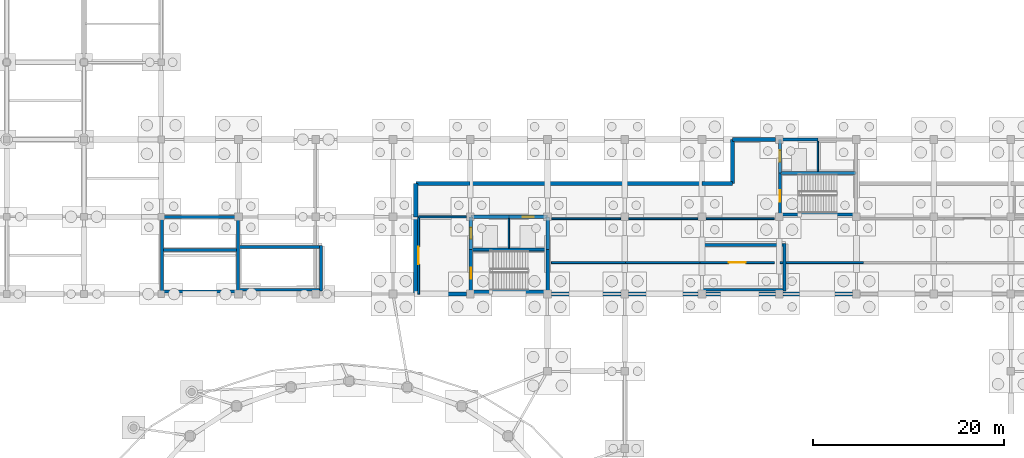
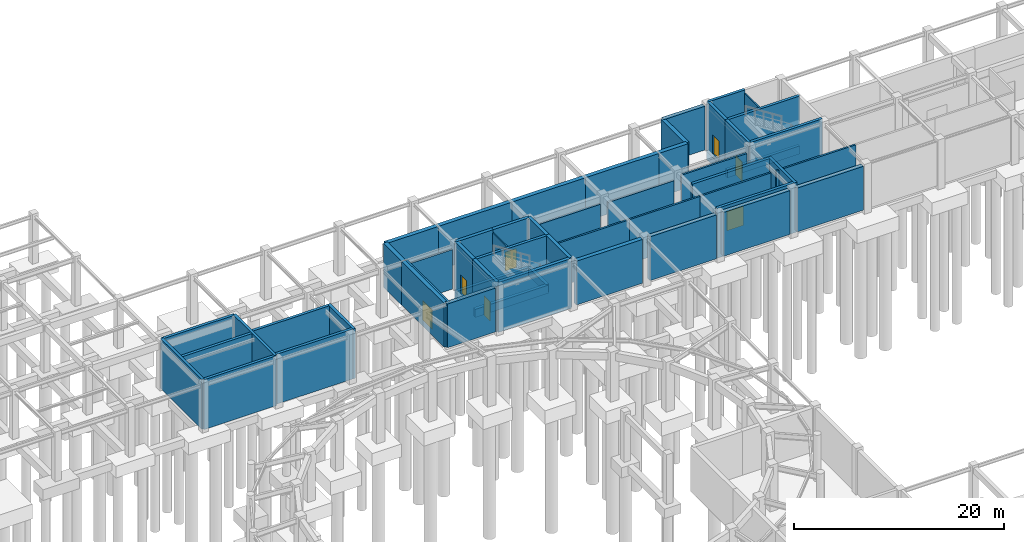
# One storey, part 18 of 26: 55 walls, 7 doors, 7 openings.
"""IFC4 building model written with IfcOpenShell, lengths in metres."""

from ifc_helpers import new_model, si_unit, direction, frame, frame_2d, origin, place, context, subcontext, project, spatial, rectangle, extrude, material, layer, layer_set, type_object, element, fill, save


model = new_model("IFC4")

# Units and contexts
model_context = context("Model", 3, precision=1e-05, world=origin(), true_north=direction((0.0, 1.0)))
body_context = subcontext(model_context, "Body", "Model", "MODEL_VIEW")
ifc_project = project(units=[si_unit("LENGTHUNIT", "METRE"), si_unit("AREAUNIT", "SQUARE_METRE"), si_unit("VOLUMEUNIT", "CUBIC_METRE"), si_unit("PLANEANGLEUNIT", "RADIAN"), si_unit("MASSUNIT", "GRAM", prefix="KILO")], contexts=[model_context])

# Site, building, storey
site_placement = place(None, origin())
site = spatial("IfcSite", under=ifc_project, at=site_placement, CompositionType="ELEMENT")
building_placement = place(site_placement, origin())
building = spatial("IfcBuilding", under=site, at=building_placement, Name="Parian Resonance Hall", CompositionType="ELEMENT")
storey_placement = place(building_placement, frame((0.0, 0.0, -5.39990234375)))
storey = spatial("IfcBuildingStorey", under=building, at=storey_placement, Name="B1", CompositionType="ELEMENT", Elevation=-5.39990234375)

# Walls
ifc_material_1 = material(Name="Concrete C40/50", Category="concrete")
ifc_layer_1 = layer(ifc_material_1, 0.31005859375)
ifc_layer_set_1 = layer_set([ifc_layer_1], Name="Concrete C40/50")
wall_type_1 = type_object("IfcWallType", Name="CW310", PredefinedType="SHEAR", material=ifc_layer_set_1)
wall_1_placement = place(storey_placement, frame((56.77001953125, 77.550048828125, -0.400146484375), z_axis=(0.0, 0.0, 1.0), x_axis=(1.0, 0.0, 0.0)))
element("IfcWall", 1, at=wall_1_placement, inside=storey, type_object=wall_type_1, Name="Core K1 stair-lift divider wall B1", PredefinedType="SHEAR", context=body_context, shape_type="SweptSolid", body=[
    extrude(rectangle(XDim=8.06005859375, YDim=0.31005859375, at=frame_2d((4.030029296875, 0.0))), origin(), (0.0, 0.0, 1.0), 5.800048828125),
])
for number, where, z_axis, x_axis, name in (
    (2, (24.389892578125, 73.14990234375, -0.400146484375), (0.0, 0.0, 1.0), (0.0, 1.0, 0.0), "Core K4 sub-grade foundation wall WS"),
    (3, (32.3701171875, 81.0, -0.400146484375), (0.0, 0.0, 1.0), (0.0, -1.0, 0.0), "Core K4 sub-grade foundation wall ES"),
):
    element("IfcWall", number, at=place(storey_placement, frame(where, z_axis=z_axis, x_axis=x_axis)), inside=storey, type_object=wall_type_1, Name=name, PredefinedType="SHEAR", context=body_context, shape_type="SweptSolid", body=[
        extrude(rectangle(XDim=7.85009765625, YDim=0.31005859375, at=frame_2d((3.925048828125, 0.0))), origin(), (0.0, 0.0, 1.0), 5.800048828125),
    ])
for number, where, z_axis, x_axis, name in (
    (4, (32.3701171875, 73.14990234375, -0.400146484375), (0.0, 0.0, 1.0), (-1.0, 0.0, 0.0), "Core K4 sub-grade foundation wall S"),
    (5, (24.389892578125, 77.510009765625, -0.400146484375), (0.0, 0.0, 1.0), (1.0, 0.0, 0.0), "Core K4 sub-grade foundation wall DIVY"),
    (6, (24.389892578125, 81.0, -0.400146484375), (0.0, 0.0, 1.0), (1.0, 0.0, 0.0), "Core K4 sub-grade foundation wall N"),
):
    element("IfcWall", number, at=place(storey_placement, frame(where, z_axis=z_axis, x_axis=x_axis)), inside=storey, type_object=wall_type_1, Name=name, PredefinedType="SHEAR", context=body_context, shape_type="SweptSolid", body=[
        extrude(rectangle(XDim=7.980224609375, YDim=0.31005859375, at=frame_2d((3.990234375, 0.0))), origin(), (0.0, 0.0, 1.0), 5.800048828125),
    ])
wall_2_placement = place(storey_placement, frame((89.18994140625, 85.610107421875, -1.35009765625), z_axis=(0.0, 0.0, 1.0), x_axis=(1.0, 0.0, 0.0)))
element("IfcWall", 7, at=wall_2_placement, inside=storey, type_object=wall_type_1, Name="Lift pit wall K5-1", PredefinedType="SHEAR", context=body_context, shape_type="SweptSolid", body=[
    extrude(rectangle(XDim=7.97998046875, YDim=0.31005859375, at=frame_2d((3.989990234375, 0.0))), origin(), (0.0, 0.0, 1.0), 0.949951171875),
])
wall_3_placement = place(storey_placement, frame((89.18994140625, 89.10009765625, -1.35009765625), z_axis=(0.0, 0.0, 1.0), x_axis=(0.0, -1.0, 0.0)))
element("IfcWall", 8, at=wall_3_placement, inside=storey, type_object=wall_type_1, Name="Lift pit wall K5-4", PredefinedType="SHEAR", context=body_context, shape_type="SweptSolid", body=[
    extrude(rectangle(XDim=3.489990234375, YDim=0.31005859375, at=frame_2d((1.7451171875, 0.0))), origin(), (0.0, 0.0, 1.0), 0.949951171875),
])

# Wall, opening, door
wall_4_placement = place(storey_placement, frame((89.18994140625, 81.25, -0.400146484375), z_axis=(0.0, 0.0, 1.0), x_axis=(0.0, 1.0, 0.0)))
wall_4 = element("IfcWall", 9, at=wall_4_placement, inside=storey, type_object=wall_type_1, Name="Core K5 stairwell west shear wall B1", PredefinedType="SHEAR", context=body_context, shape_type="SweptSolid", body=[
    extrude(rectangle(XDim=4.360107421875, YDim=0.31005859375, at=frame_2d((2.18017578125, 0.0))), origin(), (0.0, 0.0, 1.0), 5.800048828125),
])
opening_1_placement = place(wall_4_placement, frame((1.35009765625, 0.0, 0.39990234375)))
opening_1 = element("IfcOpeningElement", 10, at=opening_1_placement, cuts=wall_4, Name="Opening FD-01", PredefinedType="OPENING", context=body_context, shape_type="SweptSolid", body=[
    extrude(rectangle(XDim=1.199951171875, YDim=2.25, at=frame_2d((0.60009765625, 1.125))), frame((0.0, 0.1650390625, 0.0), z_axis=(0.0, -1.0, 0.0), x_axis=(1.0, 0.0, 0.0)), (0.0, 0.0, 1.0), 0.330078125),
])
ifc_material_2 = material(Name="Fire-rated acoustic steel and narra timber door", Category="steel")
door_type_1 = type_object("IfcDoorType", Name="FD-01", OperationType="NOTDEFINED", PredefinedType="DOOR", material=ifc_material_2)
door_1_placement = place(opening_1_placement, origin())
door_1 = element("IfcDoor", 11, at=door_1_placement, inside=storey, type_object=door_type_1, Name="Exit stair ST-05 fire door B1", OperationType="SINGLE_SWING_LEFT", OverallHeight=2.25, OverallWidth=1.199951171875, PredefinedType="DOOR", context=body_context, shape_type="SweptSolid", body=[
    extrude(rectangle(XDim=1.199951171875, YDim=2.25, at=frame_2d((0.60009765625, 1.125))), frame((0.0, 0.02490234375, 0.0), z_axis=(0.0, -1.0, 0.0), x_axis=(1.0, 0.0, 0.0)), (0.0, 0.0, 1.0), 0.050048828125),
])
fill(opening_1, door_1)

wall_5_placement = place(storey_placement, frame((89.18994140625, 85.610107421875, -0.400146484375), z_axis=(0.0, 0.0, 1.0), x_axis=(0.0, 1.0, 0.0)))
wall_5 = element("IfcWall", 12, at=wall_5_placement, inside=storey, type_object=wall_type_1, Name="Core K5 lift shaft west shear wall B1", PredefinedType="SHEAR", context=body_context, shape_type="SweptSolid", body=[
    extrude(rectangle(XDim=3.489990234375, YDim=0.31005859375, at=frame_2d((1.7451171875, 0.0))), origin(), (0.0, 0.0, 1.0), 5.800048828125),
])
opening_2_placement = place(wall_5_placement, frame((1.14501953125, 0.0, 0.39990234375)))
opening_2 = element("IfcOpeningElement", 13, at=opening_2_placement, cuts=wall_5, Name="Opening LD-01", PredefinedType="OPENING", context=body_context, shape_type="SweptSolid", body=[
    extrude(rectangle(XDim=1.199951171875, YDim=2.199951171875, at=frame_2d((0.60009765625, 1.10009765625))), frame((0.0, 0.1650390625, 0.0), z_axis=(0.0, -1.0, 0.0), x_axis=(1.0, 0.0, 0.0)), (0.0, 0.0, 1.0), 0.330078125),
])
ifc_material_3 = material(Name="Stainless steel and bronze elevator cab", Category="steel")
door_type_2 = type_object("IfcDoorType", Name="DOOR-LIFT-1200x2200", OperationType="SLIDING_TO_LEFT", PredefinedType="DOOR", material=ifc_material_3)
door_2_placement = place(opening_2_placement, origin())
door_2 = element("IfcDoor", 14, at=door_2_placement, inside=storey, type_object=door_type_2, Name="Lift LF-06 sliding landing door B1", OperationType="SLIDING_TO_LEFT", OverallHeight=2.199951171875, OverallWidth=1.199951171875, PredefinedType="DOOR", context=body_context, shape_type="SweptSolid", body=[
    extrude(rectangle(XDim=1.199951171875, YDim=2.199951171875, at=frame_2d((0.60009765625, 1.10009765625))), frame((0.0, 0.02490234375, 0.0), z_axis=(0.0, -1.0, 0.0), x_axis=(1.0, 0.0, 0.0)), (0.0, 0.0, 1.0), 0.050048828125),
])
fill(opening_2, door_2)

# Walls
wall_6_placement = place(storey_placement, frame((89.18994140625, 89.10009765625, -0.400146484375), z_axis=(0.0, 0.0, 1.0), x_axis=(1.0, 0.0, 0.0)))
element("IfcWall", 15, at=wall_6_placement, inside=storey, type_object=wall_type_1, Name="Core K5 north-west shaft wall B1", PredefinedType="SHEAR", context=body_context, shape_type="SweptSolid", body=[
    extrude(rectangle(XDim=3.9599609375, YDim=0.31005859375, at=frame_2d((1.97998046875, 0.0))), origin(), (0.0, 0.0, 1.0), 5.800048828125),
])
for number, where, z_axis, x_axis, name in (
    (16, (97.169921875, 81.25, -0.400146484375), (0.0, 0.0, 1.0), (-1.0, 0.0, 0.0), "Core K5 stairwell south wall B1"),
    (17, (89.18994140625, 85.610107421875, -0.400146484375), (0.0, 0.0, 1.0), (1.0, 0.0, 0.0), "Core K5 stair-lift divider wall B1"),
):
    element("IfcWall", number, at=place(storey_placement, frame(where, z_axis=z_axis, x_axis=x_axis)), inside=storey, type_object=wall_type_1, Name=name, PredefinedType="SHEAR", context=body_context, shape_type="SweptSolid", body=[
        extrude(rectangle(XDim=7.97998046875, YDim=0.31005859375, at=frame_2d((3.989990234375, 0.0))), origin(), (0.0, 0.0, 1.0), 5.800048828125),
    ])
wall_7_placement = place(storey_placement, frame((32.39990234375, 73.35009765625, -0.400146484375), z_axis=(0.0, 0.0, 1.0), x_axis=(1.0, 0.0, 0.0)))
element("IfcWall", 18, at=wall_7_placement, inside=storey, type_object=wall_type_1, Name="Enclosed foyer exit stair ST-07 shear wall B1-S", PredefinedType="SHEAR", context=body_context, shape_type="SweptSolid", body=[
    extrude(rectangle(XDim=8.795166015625, YDim=0.31005859375, at=frame_2d((4.3974609375, 0.0))), origin(), (0.0, 0.0, 1.0), 5.800048828125),
])
wall_8_placement = place(storey_placement, frame((41.0400390625, 73.195068359375, -0.400146484375), z_axis=(0.0, 0.0, 1.0), x_axis=(0.0, 1.0, 0.0)))
element("IfcWall", 19, at=wall_8_placement, inside=storey, type_object=wall_type_1, Name="Enclosed foyer exit stair ST-07 shear wall B1-E", PredefinedType="SHEAR", context=body_context, shape_type="SweptSolid", body=[
    extrude(rectangle(XDim=4.7900390625, YDim=0.31005859375, at=frame_2d((2.39501953125, 0.0))), origin(), (0.0, 0.0, 1.0), 5.800048828125),
])
wall_9_placement = place(storey_placement, frame((41.195068359375, 77.830078125, -0.400146484375), z_axis=(0.0, 0.0, 1.0), x_axis=(-1.0, 0.0, 0.0)))
element("IfcWall", 20, at=wall_9_placement, inside=storey, type_object=wall_type_1, Name="Enclosed foyer exit stair ST-07 shear wall B1-N", PredefinedType="SHEAR", context=body_context, shape_type="SweptSolid", body=[
    extrude(rectangle(XDim=8.795166015625, YDim=0.31005859375, at=frame_2d((4.3974609375, 0.0))), origin(), (0.0, 0.0, 1.0), 5.800048828125),
])
wall_10_placement = place(storey_placement, frame((81.0, 73.35009765625, -0.400146484375), z_axis=(0.0, 0.0, 1.0), x_axis=(1.0, 0.0, 0.0)))
element("IfcWall", 21, at=wall_10_placement, inside=storey, type_object=wall_type_1, Name="Enclosed foyer exit stair ST-08 shear wall B1-S", PredefinedType="SHEAR", context=body_context, shape_type="SweptSolid", body=[
    extrude(rectangle(XDim=8.794921875, YDim=0.31005859375, at=frame_2d((4.3974609375, 0.0))), origin(), (0.0, 0.0, 1.0), 5.800048828125),
])
wall_11_placement = place(storey_placement, frame((89.639892578125, 73.195068359375, -0.400146484375), z_axis=(0.0, 0.0, 1.0), x_axis=(0.0, 1.0, 0.0)))
element("IfcWall", 22, at=wall_11_placement, inside=storey, type_object=wall_type_1, Name="Enclosed foyer exit stair ST-08 shear wall B1-E", PredefinedType="SHEAR", context=body_context, shape_type="SweptSolid", body=[
    extrude(rectangle(XDim=4.989990234375, YDim=0.31005859375, at=frame_2d((2.4951171875, 0.0))), origin(), (0.0, 0.0, 1.0), 5.800048828125),
])
wall_12_placement = place(storey_placement, frame((89.794921875, 78.030029296875, -0.400146484375), z_axis=(0.0, 0.0, 1.0), x_axis=(-1.0, 0.0, 0.0)))
element("IfcWall", 23, at=wall_12_placement, inside=storey, type_object=wall_type_1, Name="Enclosed foyer exit stair ST-08 shear wall B1-N", PredefinedType="SHEAR", context=body_context, shape_type="SweptSolid", body=[
    extrude(rectangle(XDim=8.794921875, YDim=0.31005859375, at=frame_2d((4.3974609375, 0.0))), origin(), (0.0, 0.0, 1.0), 5.800048828125),
])
ifc_material_4 = material(Name="Concrete C40/50", Category="concrete")
ifc_layer_2 = layer(ifc_material_4, 0.35009765625)
ifc_layer_set_2 = layer_set([ifc_layer_2], Name="Concrete C40/50")
wall_type_2 = type_object("IfcWallType", Name="CW350", PredefinedType="SHEAR", material=ifc_layer_set_2)
wall_13_placement = place(storey_placement, frame((56.77001953125, 77.550048828125, -1.35009765625), z_axis=(0.0, 0.0, 1.0), x_axis=(1.0, 0.0, 0.0)))
element("IfcWall", 24, at=wall_13_placement, inside=storey, type_object=wall_type_2, Name="Lift pit wall K1-1", PredefinedType="SHEAR", context=body_context, shape_type="SweptSolid", body=[
    extrude(rectangle(XDim=8.06005859375, YDim=0.35009765625, at=frame_2d((4.030029296875, 0.0))), origin(), (0.0, 0.0, 1.0), 0.949951171875),
])
wall_14_placement = place(storey_placement, frame((64.830078125, 77.550048828125, -1.35009765625), z_axis=(0.0, 0.0, 1.0), x_axis=(0.0, 1.0, 0.0)))
element("IfcWall", 25, at=wall_14_placement, inside=storey, type_object=wall_type_2, Name="Lift pit wall K1-2", PredefinedType="SHEAR", context=body_context, shape_type="SweptSolid", body=[
    extrude(rectangle(XDim=3.449951171875, YDim=0.35009765625, at=frame_2d((1.72509765625, 0.0))), origin(), (0.0, 0.0, 1.0), 0.949951171875),
])
wall_15_placement = place(storey_placement, frame((64.830078125, 81.0, -1.35009765625), z_axis=(0.0, 0.0, 1.0), x_axis=(-1.0, 0.0, 0.0)))
element("IfcWall", 26, at=wall_15_placement, inside=storey, type_object=wall_type_2, Name="Lift pit wall K1-3", PredefinedType="SHEAR", context=body_context, shape_type="SweptSolid", body=[
    extrude(rectangle(XDim=8.06005859375, YDim=0.35009765625, at=frame_2d((4.030029296875, 0.0))), origin(), (0.0, 0.0, 1.0), 0.949951171875),
])
wall_16_placement = place(storey_placement, frame((56.77001953125, 81.0, -1.35009765625), z_axis=(0.0, 0.0, 1.0), x_axis=(0.0, -1.0, 0.0)))
element("IfcWall", 27, at=wall_16_placement, inside=storey, type_object=wall_type_2, Name="Lift pit wall K1-4", PredefinedType="SHEAR", context=body_context, shape_type="SweptSolid", body=[
    extrude(rectangle(XDim=3.449951171875, YDim=0.35009765625, at=frame_2d((1.72509765625, 0.0))), origin(), (0.0, 0.0, 1.0), 0.949951171875),
])

# Wall, opening, door
wall_17_placement = place(storey_placement, frame((56.77001953125, 73.1298828125, -0.400146484375), z_axis=(0.0, 0.0, 1.0), x_axis=(0.0, 1.0, 0.0)))
wall_17 = element("IfcWall", 28, at=wall_17_placement, inside=storey, type_object=wall_type_2, Name="Core K1 stairwell west shear wall B1", PredefinedType="SHEAR", context=body_context, shape_type="SweptSolid", body=[
    extrude(rectangle(XDim=4.420166015625, YDim=0.35009765625, at=frame_2d((2.2099609375, 0.0))), origin(), (0.0, 0.0, 1.0), 5.800048828125),
])
opening_3_placement = place(wall_17_placement, frame((1.35009765625, 0.0, 0.39990234375)))
opening_3 = element("IfcOpeningElement", 29, at=opening_3_placement, cuts=wall_17, Name="Opening FD-01", PredefinedType="OPENING", context=body_context, shape_type="SweptSolid", body=[
    extrude(rectangle(XDim=1.199951171875, YDim=2.25, at=frame_2d((0.60009765625, 1.125))), frame((0.0, 0.18505859375, 0.0), z_axis=(0.0, -1.0, 0.0), x_axis=(1.0, 0.0, 0.0)), (0.0, 0.0, 1.0), 0.3701171875),
])
door_3_placement = place(opening_3_placement, origin())
door_3 = element("IfcDoor", 30, at=door_3_placement, inside=storey, type_object=door_type_1, Name="Exit stair ST-01 fire door B1", OperationType="SINGLE_SWING_LEFT", OverallHeight=2.25, OverallWidth=1.199951171875, PredefinedType="DOOR", context=body_context, shape_type="SweptSolid", body=[
    extrude(rectangle(XDim=1.199951171875, YDim=2.25, at=frame_2d((0.60009765625, 1.125))), frame((0.0, 0.02490234375, 0.0), z_axis=(0.0, -1.0, 0.0), x_axis=(1.0, 0.0, 0.0)), (0.0, 0.0, 1.0), 0.050048828125),
])
fill(opening_3, door_3)

wall_18_placement = place(storey_placement, frame((56.77001953125, 77.550048828125, -0.400146484375), z_axis=(0.0, 0.0, 1.0), x_axis=(0.0, 1.0, 0.0)))
wall_18 = element("IfcWall", 31, at=wall_18_placement, inside=storey, type_object=wall_type_2, Name="Core K1 lift shaft west shear wall B1", PredefinedType="SHEAR", context=body_context, shape_type="SweptSolid", body=[
    extrude(rectangle(XDim=3.449951171875, YDim=0.35009765625, at=frame_2d((1.72509765625, 0.0))), origin(), (0.0, 0.0, 1.0), 5.800048828125),
])
opening_4_placement = place(wall_18_placement, frame((1.125, 0.0, 0.39990234375)))
opening_4 = element("IfcOpeningElement", 32, at=opening_4_placement, cuts=wall_18, Name="Opening LD-01", PredefinedType="OPENING", context=body_context, shape_type="SweptSolid", body=[
    extrude(rectangle(XDim=1.199951171875, YDim=2.199951171875, at=frame_2d((0.60009765625, 1.10009765625))), frame((0.0, 0.18505859375, 0.0), z_axis=(0.0, -1.0, 0.0), x_axis=(1.0, 0.0, 0.0)), (0.0, 0.0, 1.0), 0.3701171875),
])
door_4_placement = place(opening_4_placement, origin())
door_4 = element("IfcDoor", 33, at=door_4_placement, inside=storey, type_object=door_type_2, Name="Lift LF-01 sliding landing door B1", OperationType="SLIDING_TO_LEFT", OverallHeight=2.199951171875, OverallWidth=1.199951171875, PredefinedType="DOOR", context=body_context, shape_type="SweptSolid", body=[
    extrude(rectangle(XDim=1.199951171875, YDim=2.199951171875, at=frame_2d((0.60009765625, 1.10009765625))), frame((0.0, 0.02490234375, 0.0), z_axis=(0.0, -1.0, 0.0), x_axis=(1.0, 0.0, 0.0)), (0.0, 0.0, 1.0), 0.050048828125),
])
fill(opening_4, door_4)

# Wall
wall_19_placement = place(storey_placement, frame((56.77001953125, 81.0, -0.400146484375), z_axis=(0.0, 0.0, 1.0), x_axis=(1.0, 0.0, 0.0)))
element("IfcWall", 34, at=wall_19_placement, inside=storey, type_object=wall_type_2, Name="Core K1 north-west shaft wall B1", PredefinedType="SHEAR", context=body_context, shape_type="SweptSolid", body=[
    extrude(rectangle(XDim=3.97998046875, YDim=0.35009765625, at=frame_2d((1.989990234375, 0.0))), origin(), (0.0, 0.0, 1.0), 5.800048828125),
])

# Wall, opening, door
wall_20_placement = place(storey_placement, frame((60.75, 81.0, -0.400146484375), z_axis=(0.0, 0.0, 1.0), x_axis=(1.0, 0.0, 0.0)))
wall_20 = element("IfcWall", 35, at=wall_20_placement, inside=storey, type_object=wall_type_2, Name="Core K1 north-east shaft wall B1", PredefinedType="SHEAR", context=body_context, shape_type="SweptSolid", body=[
    extrude(rectangle(XDim=4.080078125, YDim=0.35009765625, at=frame_2d((2.0400390625, 0.0))), origin(), (0.0, 0.0, 1.0), 5.800048828125),
])
opening_5_placement = place(wall_20_placement, frame((1.43994140625, 0.0, 0.39990234375)))
opening_5 = element("IfcOpeningElement", 36, at=opening_5_placement, cuts=wall_20, Name="Opening LD-01", PredefinedType="OPENING", context=body_context, shape_type="SweptSolid", body=[
    extrude(rectangle(XDim=1.199951171875, YDim=2.199951171875, at=frame_2d((0.60009765625, 1.10009765625))), frame((0.0, 0.18505859375, 0.0), z_axis=(0.0, -1.0, 0.0), x_axis=(1.0, 0.0, 0.0)), (0.0, 0.0, 1.0), 0.3701171875),
])
door_5_placement = place(opening_5_placement, origin())
door_5 = element("IfcDoor", 37, at=door_5_placement, inside=storey, type_object=door_type_2, Name="Lift LF-03 sliding landing door B1", OperationType="SLIDING_TO_LEFT", OverallHeight=2.199951171875, OverallWidth=1.199951171875, PredefinedType="DOOR", context=body_context, shape_type="SweptSolid", body=[
    extrude(rectangle(XDim=1.199951171875, YDim=2.199951171875, at=frame_2d((0.60009765625, 1.10009765625))), frame((0.0, 0.02490234375, 0.0), z_axis=(0.0, -1.0, 0.0), x_axis=(1.0, 0.0, 0.0)), (0.0, 0.0, 1.0), 0.050048828125),
])
fill(opening_5, door_5)

# Walls
wall_21_placement = place(storey_placement, frame((64.830078125, 81.0, -0.400146484375), z_axis=(0.0, 0.0, 1.0), x_axis=(0.0, -1.0, 0.0)))
element("IfcWall", 38, at=wall_21_placement, inside=storey, type_object=wall_type_2, Name="Core K1 east shaft wall B1", PredefinedType="SHEAR", context=body_context, shape_type="SweptSolid", body=[
    extrude(rectangle(XDim=3.449951171875, YDim=0.35009765625, at=frame_2d((1.72509765625, 0.0))), origin(), (0.0, 0.0, 1.0), 5.800048828125),
])
wall_22_placement = place(storey_placement, frame((64.830078125, 77.550048828125, -0.400146484375), z_axis=(0.0, 0.0, 1.0), x_axis=(0.0, -1.0, 0.0)))
element("IfcWall", 39, at=wall_22_placement, inside=storey, type_object=wall_type_2, Name="Core K1 stairwell east wall B1", PredefinedType="SHEAR", context=body_context, shape_type="SweptSolid", body=[
    extrude(rectangle(XDim=4.420166015625, YDim=0.35009765625, at=frame_2d((2.2099609375, 0.0))), origin(), (0.0, 0.0, 1.0), 5.800048828125),
])
wall_23_placement = place(storey_placement, frame((64.830078125, 73.1298828125, -0.400146484375), z_axis=(0.0, 0.0, 1.0), x_axis=(-1.0, 0.0, 0.0)))
element("IfcWall", 40, at=wall_23_placement, inside=storey, type_object=wall_type_2, Name="Core K1 stairwell south wall B1", PredefinedType="SHEAR", context=body_context, shape_type="SweptSolid", body=[
    extrude(rectangle(XDim=8.06005859375, YDim=0.35009765625, at=frame_2d((4.030029296875, 0.0))), origin(), (0.0, 0.0, 1.0), 5.800048828125),
])
ifc_material_5 = material(Name="Concrete C35/45 waterproofed retaining wall", Category="concrete")
ifc_layer_3 = layer(ifc_material_5, 0.449951171875)
ifc_layer_set_3 = layer_set([ifc_layer_3], Name="Concrete C35/45 waterproofed retaining wall")
wall_type_3 = type_object("IfcWallType", Name="EW-RET-450", PredefinedType="USERDEFINED", material=ifc_layer_set_3)
wall_24_placement = place(storey_placement, frame((88.699951171875, 89.10009765625, 0.0), z_axis=(0.0, 0.0, 1.0), x_axis=(-1.0, 0.0, 0.0)))
element("IfcWall", 41, at=wall_24_placement, inside=storey, type_object=wall_type_3, Name="Perimeter closure wall B1", ObjectType="RETAINING WALL", PredefinedType="USERDEFINED", context=body_context, shape_type="SweptSolid", body=[
    extrude(rectangle(XDim=4.5, YDim=0.449951171875, at=frame_2d((2.25, 0.0))), origin(), (0.0, 0.0, 1.0), 5.099853515625),
])
wall_25_placement = place(storey_placement, frame((84.199951171875, 89.10009765625, 0.0), z_axis=(0.0, 0.0, 1.0), x_axis=(0.0, -1.0, 0.0)))
element("IfcWall", 42, at=wall_25_placement, inside=storey, type_object=wall_type_3, Name="Perimeter closure wall B1", ObjectType="RETAINING WALL", PredefinedType="USERDEFINED", context=body_context, shape_type="SweptSolid", body=[
    extrude(rectangle(XDim=4.60009765625, YDim=0.449951171875, at=frame_2d((2.300048828125, 0.0))), origin(), (0.0, 0.0, 1.0), 5.099853515625),
])
wall_26_placement = place(storey_placement, frame((84.199951171875, 84.5, 0.0), z_axis=(0.0, 0.0, 1.0), x_axis=(-1.0, 0.0, 0.0)))
element("IfcWall", 43, at=wall_26_placement, inside=storey, type_object=wall_type_3, Name="Perimeter closure wall B1", ObjectType="RETAINING WALL", PredefinedType="USERDEFINED", context=body_context, shape_type="SweptSolid", body=[
    extrude(rectangle(XDim=3.199951171875, YDim=0.449951171875, at=frame_2d((1.60009765625, 0.0))), origin(), (0.0, 0.0, 1.0), 5.099853515625),
])
wall_27_placement = place(storey_placement, frame((81.0, 84.5, 0.0), z_axis=(0.0, 0.0, 1.0), x_axis=(-1.0, 0.0, 0.0)))
element("IfcWall", 44, at=wall_27_placement, inside=storey, type_object=wall_type_3, Name="Perimeter closure wall B1", ObjectType="RETAINING WALL", PredefinedType="USERDEFINED", context=body_context, shape_type="SweptSolid", body=[
    extrude(rectangle(XDim=8.10009765625, YDim=0.449951171875, at=frame_2d((4.050048828125, 0.0))), origin(), (0.0, 0.0, 1.0), 5.099853515625),
])
wall_28_placement = place(storey_placement, frame((72.89990234375, 84.5, 0.0), z_axis=(0.0, 0.0, 1.0), x_axis=(-1.0, 0.0, 0.0)))
element("IfcWall", 45, at=wall_28_placement, inside=storey, type_object=wall_type_3, Name="Perimeter closure wall B1", ObjectType="RETAINING WALL", PredefinedType="USERDEFINED", context=body_context, shape_type="SweptSolid", body=[
    extrude(rectangle(XDim=8.099853515625, YDim=0.449951171875, at=frame_2d((4.0498046875, 0.0))), origin(), (0.0, 0.0, 1.0), 5.099853515625),
])
wall_29_placement = place(storey_placement, frame((64.800048828125, 84.5, 0.0), z_axis=(0.0, 0.0, 1.0), x_axis=(-1.0, 0.0, 0.0)))
element("IfcWall", 46, at=wall_29_placement, inside=storey, type_object=wall_type_3, Name="Perimeter closure wall B1", ObjectType="RETAINING WALL", PredefinedType="USERDEFINED", context=body_context, shape_type="SweptSolid", body=[
    extrude(rectangle(XDim=8.10009765625, YDim=0.449951171875, at=frame_2d((4.050048828125, 0.0))), origin(), (0.0, 0.0, 1.0), 5.099853515625),
])
wall_30_placement = place(storey_placement, frame((56.699951171875, 84.5, 0.0), z_axis=(0.0, 0.0, 1.0), x_axis=(-1.0, 0.0, 0.0)))
element("IfcWall", 47, at=wall_30_placement, inside=storey, type_object=wall_type_3, Name="Perimeter closure wall B1", ObjectType="RETAINING WALL", PredefinedType="USERDEFINED", context=body_context, shape_type="SweptSolid", body=[
    extrude(rectangle(XDim=5.699951171875, YDim=0.449951171875, at=frame_2d((2.85009765625, 0.0))), origin(), (0.0, 0.0, 1.0), 5.099853515625),
])
wall_31_placement = place(storey_placement, frame((51.0, 84.5, 0.0), z_axis=(0.0, 0.0, 1.0), x_axis=(0.0, -1.0, 0.0)))
element("IfcWall", 48, at=wall_31_placement, inside=storey, type_object=wall_type_3, Name="Perimeter closure wall B1", ObjectType="RETAINING WALL", PredefinedType="USERDEFINED", context=body_context, shape_type="SweptSolid", body=[
    extrude(rectangle(XDim=3.5, YDim=0.449951171875, at=frame_2d((1.75, 0.0))), origin(), (0.0, 0.0, 1.0), 5.099853515625),
])
wall_32_placement = place(storey_placement, frame((51.0, 81.0, 0.0), z_axis=(0.0, 0.0, 1.0), x_axis=(0.0, -1.0, 0.0)))
element("IfcWall", 49, at=wall_32_placement, inside=storey, type_object=wall_type_3, Name="Perimeter closure wall B1", ObjectType="RETAINING WALL", PredefinedType="USERDEFINED", context=body_context, shape_type="SweptSolid", body=[
    extrude(rectangle(XDim=8.10009765625, YDim=0.449951171875, at=frame_2d((4.050048828125, 0.0))), origin(), (0.0, 0.0, 1.0), 5.099853515625),
])
wall_33_placement = place(storey_placement, frame((51.0, 72.89990234375, 0.0), z_axis=(0.0, 0.0, 1.0), x_axis=(1.0, 0.0, 0.0)))
element("IfcWall", 50, at=wall_33_placement, inside=storey, type_object=wall_type_3, Name="Perimeter closure wall B1", ObjectType="RETAINING WALL", PredefinedType="USERDEFINED", context=body_context, shape_type="SweptSolid", body=[
    extrude(rectangle(XDim=5.300048828125, YDim=0.449951171875, at=frame_2d((2.64990234375, 0.0))), origin(), (0.0, 0.0, 1.0), 5.099853515625),
])
for number, where, z_axis, x_axis, name in (
    (51, (65.199951171875, 72.89990234375, 0.0), (0.0, 0.0, 1.0), (1.0, 0.0, 0.0), "Perimeter closure wall B1"),
    (52, (73.300048828125, 72.89990234375, 0.0), (0.0, 0.0, 1.0), (1.0, 0.0, 0.0), "Perimeter closure wall B1"),
    (53, (81.39990234375, 72.89990234375, 0.0), (0.0, 0.0, 1.0), (1.0, 0.0, 0.0), "Perimeter closure wall B1"),
    (54, (89.5, 72.89990234375, 0.0), (0.0, 0.0, 1.0), (1.0, 0.0, 0.0), "Perimeter closure wall B1"),
):
    element("IfcWall", number, at=place(storey_placement, frame(where, z_axis=z_axis, x_axis=x_axis)), inside=storey, type_object=wall_type_3, Name=name, ObjectType="RETAINING WALL", PredefinedType="USERDEFINED", context=body_context, shape_type="SweptSolid", body=[
        extrude(rectangle(XDim=7.300048828125, YDim=0.449951171875, at=frame_2d((3.64990234375, 0.0))), origin(), (0.0, 0.0, 1.0), 5.099853515625),
    ])

# Wall, opening, door
ifc_material_6 = material(Name="Concrete C35/45 fire barrier", Category="concrete")
ifc_layer_4 = layer(ifc_material_6, 0.199951171875)
ifc_layer_set_4 = layer_set([ifc_layer_4], Name="Concrete C35/45 fire barrier")
wall_type_4 = type_object("IfcWallType", Name="FW200", PredefinedType="PARTITIONING", material=ifc_layer_set_4)
wall_34_placement = place(storey_placement, frame((51.300048828125, 72.89990234375, 0.0), z_axis=(0.0, 0.0, 1.0), x_axis=(0.0, 1.0, 0.0)))
wall_34 = element("IfcWall", 55, at=wall_34_placement, inside=storey, type_object=wall_type_4, Name="Firefighting lift lobby K1 west fire barrier B1", PredefinedType="PARTITIONING", context=body_context, shape_type="SweptSolid", body=[
    extrude(rectangle(XDim=8.10009765625, YDim=0.199951171875, at=frame_2d((4.050048828125, 0.0))), origin(), (0.0, 0.0, 1.0), 5.099853515625),
])
opening_6_placement = place(wall_34_placement, frame((3.14990234375, 0.0, 0.0)))
opening_6 = element("IfcOpeningElement", 56, at=opening_6_placement, cuts=wall_34, Name="Opening FD-02", PredefinedType="OPENING", context=body_context, shape_type="SweptSolid", body=[
    extrude(rectangle(XDim=1.800048828125, YDim=2.25, at=frame_2d((0.89990234375, 1.125))), frame((0.0, 0.10986328125, 0.0), z_axis=(0.0, -1.0, 0.0), x_axis=(1.0, 0.0, 0.0)), (0.0, 0.0, 1.0), 0.219970703125),
])
ifc_material_7 = material(Name="Fire-rated acoustic steel and narra timber door", Category="steel")
door_type_3 = type_object("IfcDoorType", Name="FD-02", OperationType="NOTDEFINED", PredefinedType="DOOR", material=ifc_material_7)
door_6_placement = place(opening_6_placement, origin())
door_6 = element("IfcDoor", 57, at=door_6_placement, inside=storey, type_object=door_type_3, Name="Firefighting lift lobby K1 smoke-seal fire door B1", OperationType="DOUBLE_DOOR_SINGLE_SWING", OverallHeight=2.25, OverallWidth=1.800048828125, PredefinedType="DOOR", context=body_context, shape_type="SweptSolid", body=[
    extrude(rectangle(XDim=1.800048828125, YDim=2.25, at=frame_2d((0.89990234375, 1.125))), frame((0.0, 0.02490234375, 0.0), z_axis=(0.0, -1.0, 0.0), x_axis=(1.0, 0.0, 0.0)), (0.0, 0.0, 1.0), 0.050048828125),
])
fill(opening_6, door_6)

# Wall
wall_35_placement = place(storey_placement, frame((51.300048828125, 81.0, 0.0), z_axis=(0.0, 0.0, 1.0), x_axis=(1.0, 0.0, 0.0)))
element("IfcWall", 58, at=wall_35_placement, inside=storey, type_object=wall_type_4, Name="Firefighting lift lobby K1 N fire barrier B1", PredefinedType="PARTITIONING", context=body_context, shape_type="SweptSolid", body=[
    extrude(rectangle(XDim=5.0, YDim=0.199951171875, at=frame_2d((2.5, 0.0))), origin(), (0.0, 0.0, 1.0), 4.5908203125),
])

# Wall, opening, door
wall_36_placement = place(storey_placement, frame((88.60009765625, 76.199951171875, 0.0), z_axis=(0.0, 0.0, 1.0), x_axis=(-1.0, 0.0, 0.0)))
wall_36 = element("IfcWall", 59, at=wall_36_placement, inside=storey, type_object=wall_type_4, Name="Interior acoustic partition IW-B1-0002", PredefinedType="PARTITIONING", context=body_context, shape_type="SweptSolid", body=[
    extrude(rectangle(XDim=7.800048828125, YDim=0.199951171875, at=frame_2d((3.89990234375, 0.0))), origin(), (0.0, 0.0, 1.0), 5.119873046875),
])
opening_7_placement = place(wall_36_placement, frame((3.0, 0.0, 0.0)))
opening_7 = element("IfcOpeningElement", 60, at=opening_7_placement, cuts=wall_36, Name="Opening FD-02", PredefinedType="OPENING", context=body_context, shape_type="SweptSolid", body=[
    extrude(rectangle(XDim=1.800048828125, YDim=2.25, at=frame_2d((0.89990234375, 1.125))), frame((0.0, 0.10986328125, 0.0), z_axis=(0.0, -1.0, 0.0), x_axis=(1.0, 0.0, 0.0)), (0.0, 0.0, 1.0), 0.219970703125),
])
door_7_placement = place(opening_7_placement, origin())
door_7 = element("IfcDoor", 61, at=door_7_placement, inside=storey, type_object=door_type_3, Name="Sub-Floor Displacement Acoustic Plenum door", OperationType="DOUBLE_DOOR_SINGLE_SWING", OverallHeight=2.25, OverallWidth=1.800048828125, PredefinedType="DOOR", context=body_context, shape_type="SweptSolid", body=[
    extrude(rectangle(XDim=1.800048828125, YDim=2.25, at=frame_2d((0.89990234375, 1.125))), frame((0.0, 0.02490234375, 0.0), z_axis=(0.0, -1.0, 0.0), x_axis=(1.0, 0.0, 0.0)), (0.0, 0.0, 1.0), 0.050048828125),
])
fill(opening_7, door_7)

# Walls
for number, where, z_axis, x_axis, name in (
    (62, (80.800048828125, 76.199951171875, 0.0), (0.0, 0.0, 1.0), (-1.0, 0.0, 0.0), "Interior acoustic partition IW-B1-0003"),
    (63, (73.0, 76.199951171875, 0.0), (0.0, 0.0, 1.0), (-1.0, 0.0, 0.0), "Interior acoustic partition IW-B1-0004"),
):
    element("IfcWall", number, at=place(storey_placement, frame(where, z_axis=z_axis, x_axis=x_axis)), inside=storey, type_object=wall_type_4, Name=name, PredefinedType="PARTITIONING", context=body_context, shape_type="SweptSolid", body=[
        extrude(rectangle(XDim=7.800048828125, YDim=0.199951171875, at=frame_2d((3.89990234375, 0.0))), origin(), (0.0, 0.0, 1.0), 5.119873046875),
    ])
wall_37_placement = place(storey_placement, frame((65.219970703125, 80.800048828125, 0.0), z_axis=(0.0, 0.0, 1.0), x_axis=(1.0, 0.0, 0.0)))
element("IfcWall", 64, at=wall_37_placement, inside=storey, type_object=wall_type_4, Name="Interior acoustic partition IW-B1-0005", PredefinedType="PARTITIONING", context=body_context, shape_type="SweptSolid", body=[
    extrude(rectangle(XDim=7.260009765625, YDim=0.199951171875, at=frame_2d((3.6298828125, 0.0))), origin(), (0.0, 0.0, 1.0), 4.323974609375),
])
wall_38_placement = place(storey_placement, frame((73.320068359375, 80.800048828125, 0.0), z_axis=(0.0, 0.0, 1.0), x_axis=(1.0, 0.0, 0.0)))
element("IfcWall", 65, at=wall_38_placement, inside=storey, type_object=wall_type_4, Name="Interior acoustic partition IW-B1-0006", PredefinedType="PARTITIONING", context=body_context, shape_type="SweptSolid", body=[
    extrude(rectangle(XDim=7.260009765625, YDim=0.199951171875, at=frame_2d((3.6298828125, 0.0))), origin(), (0.0, 0.0, 1.0), 4.223876953125),
])
wall_39_placement = place(storey_placement, frame((81.419921875, 80.800048828125, 0.0), z_axis=(0.0, 0.0, 1.0), x_axis=(1.0, 0.0, 0.0)))
element("IfcWall", 66, at=wall_39_placement, inside=storey, type_object=wall_type_4, Name="Interior acoustic partition IW-B1-0007", PredefinedType="PARTITIONING", context=body_context, shape_type="SweptSolid", body=[
    extrude(rectangle(XDim=7.18017578125, YDim=0.199951171875, at=frame_2d((3.590087890625, 0.0))), origin(), (0.0, 0.0, 1.0), 4.579833984375),
])
wall_40_placement = place(storey_placement, frame((97.933349609375, 76.199951171875, 0.0), z_axis=(0.0, 0.0, 1.0), x_axis=(-1.0, 0.0, 0.0)))
element("IfcWall", 67, at=wall_40_placement, inside=storey, type_object=wall_type_4, Name="Interior acoustic partition IW-B1-0011", PredefinedType="PARTITIONING", context=body_context, shape_type="SweptSolid", body=[
    extrude(rectangle(XDim=8.7333984375, YDim=0.199951171875, at=frame_2d((4.36669921875, 0.0))), origin(), (0.0, 0.0, 1.0), 5.119873046875),
])
ifc_material_8 = material(Name="Concrete C35/45 acoustic plumbing chase wall", Category="concrete")
ifc_layer_5 = layer(ifc_material_8, 0.14990234375)
ifc_layer_set_5 = layer_set([ifc_layer_5], Name="Concrete C35/45 acoustic plumbing chase wall")
wall_type_5 = type_object("IfcWallType", Name="PW150", PredefinedType="PLUMBINGWALL", material=ifc_layer_set_5)
wall_41_placement = place(storey_placement, frame((60.75, 77.7099609375, 0.0), z_axis=(0.0, 0.0, 1.0), x_axis=(0.0, 1.0, 0.0)))
element("IfcWall", 68, at=wall_41_placement, inside=storey, type_object=wall_type_5, Name="Core K1 shaft plumbing/riser divider B1", PredefinedType="PLUMBINGWALL", context=body_context, shape_type="SweptSolid", body=[
    extrude(rectangle(XDim=3.130126953125, YDim=0.14990234375, at=frame_2d((1.56494140625, 0.0))), origin(), (0.0, 0.0, 1.0), 5.0498046875),
])
wall_42_placement = place(storey_placement, frame((93.14990234375, 85.77001953125, 0.0), z_axis=(0.0, 0.0, 1.0), x_axis=(0.0, 1.0, 0.0)))
element("IfcWall", 69, at=wall_42_placement, inside=storey, type_object=wall_type_5, Name="Core K5 shaft plumbing/riser divider B1", PredefinedType="PLUMBINGWALL", context=body_context, shape_type="SweptSolid", body=[
    extrude(rectangle(XDim=3.169921875, YDim=0.14990234375, at=frame_2d((1.5849609375, 0.0))), origin(), (0.0, 0.0, 1.0), 5.0498046875),
])

save(model, "model.ifc")
